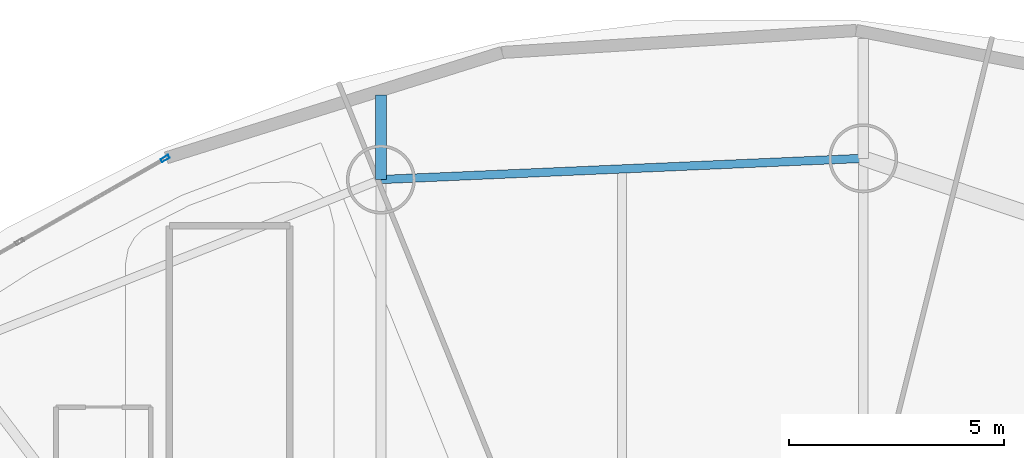
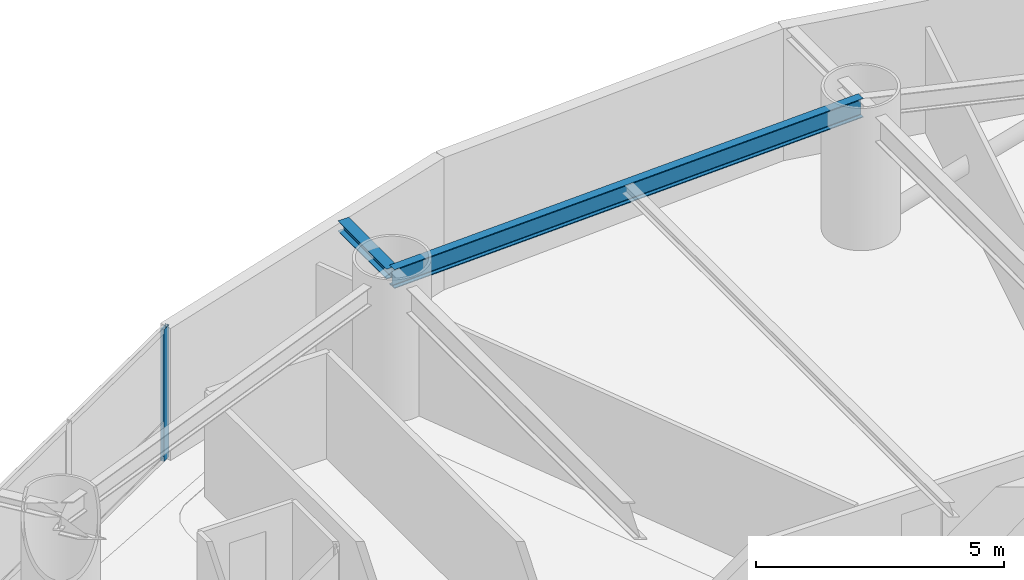
# One storey, part 15 of 26: 2 beams, 1 member, 1 element without a shape of its own.
"""IFC4 building model written with IfcOpenShell, lengths in metres."""

from ifc_helpers import new_model, si_unit, direction, frame, origin, origin_2d, place, context, subcontext, project, spatial, hollow_rectangle, i_section, extrude, material, layer, layer_set, material_profile, profile_set, type_object, element, aggregate, save


model = new_model("IFC4")

# Units and contexts
model_context = context("Model", 3, precision=1e-05, world=origin(), true_north=direction((0.0, 1.0)))
body_context = subcontext(model_context, "Body", "Model", "MODEL_VIEW")
ifc_project = project(units=[si_unit("LENGTHUNIT", "METRE"), si_unit("AREAUNIT", "SQUARE_METRE"), si_unit("VOLUMEUNIT", "CUBIC_METRE"), si_unit("PLANEANGLEUNIT", "RADIAN"), si_unit("MASSUNIT", "GRAM", prefix="KILO")], contexts=[model_context])

# Site, building, storey
site_placement = place(None, origin())
site = spatial("IfcSite", under=ifc_project, at=site_placement, CompositionType="ELEMENT")
building_placement = place(site_placement, origin())
building = spatial("IfcBuilding", under=site, at=building_placement, Name="Bramvorn Convention Spire", CompositionType="ELEMENT")
storey_placement = place(building_placement, frame((0.0, 0.0, 51.89990234375)))
storey = spatial("IfcBuildingStorey", under=building, at=storey_placement, Name="L10", CompositionType="ELEMENT", Elevation=51.89990234375)

# Beams
ifc_material_1 = material(Name="Steel CSA G40.21 Grade 350 (350W)", Category="steel")
ifc_material_profile_1 = material_profile(ifc_material_1, i_section(OverallWidth=0.25390625, OverallDepth=0.2529296875, WebThickness=0.008544921875, FlangeThickness=0.01416015625, FilletRadius=0.011962890625, at=origin_2d()))
ifc_profile_set_1 = profile_set([ifc_material_profile_1], Name="Steel CSA G40.21 Grade 350 (350W) - W250X73")
beam_type_1 = type_object("IfcBeamType", Name="BM-W250X73", PredefinedType="BEAM", material=ifc_profile_set_1)
beam_1_placement = place(storey_placement, frame((29.76220703125, 46.57666015625, 3.12353515625), z_axis=(0.0, 1.0, 0.0), x_axis=(-1.0, 0.0, 0.0)))
element("IfcBeam", 1, at=beam_1_placement, inside=storey, type_object=beam_type_1, Name="L10 slab-edge cantilever tip beam MC06", PredefinedType="BEAM", context=body_context, shape_type="SweptSolid", body=[
    extrude(i_section(OverallWidth=0.25390625, OverallDepth=0.2529296875, WebThickness=0.008544921875, FlangeThickness=0.01416015625, FilletRadius=0.011962890625, at=origin_2d()), origin(), (0.0, 0.0, 1.0), 1.965087890625),
])
ifc_material_profile_2 = material_profile(ifc_material_1, i_section(OverallWidth=0.194091796875, OverallDepth=0.468994140625, WebThickness=0.0126953125, FlangeThickness=0.0205078125, FilletRadius=0.01806640625, at=origin_2d()))
ifc_profile_set_2 = profile_set([ifc_material_profile_2], Name="Steel CSA G40.21 Grade 350 (350W) - W460X106")
beam_type_2 = type_object("IfcBeamType", Name="BM-W460X106", PredefinedType="SPANDREL", material=ifc_profile_set_2)
beam_2_placement = place(storey_placement, frame((40.9609375, 47.06884765625, 3.015625), z_axis=(-0.999035582762, -0.043907907889, 0.0), x_axis=(0.043907907889, -0.999035582762, 0.0)))
element("IfcBeam", 2, at=beam_2_placement, inside=storey, type_object=beam_type_2, Name="L10 mega-column ring beam 05", PredefinedType="SPANDREL", context=body_context, shape_type="SweptSolid", body=[
    extrude(i_section(OverallWidth=0.194091796875, OverallDepth=0.468994140625, WebThickness=0.0126953125, FlangeThickness=0.0205078125, FilletRadius=0.01806640625, at=origin_2d()), origin(), (0.0, 0.0, 1.0), 11.20947265625),
])

# Curtain wall, member
ifc_material_2 = material(Name="Anodised Bronze Unitised Curtain Wall", Category="aluminium")
ifc_layer = layer(ifc_material_2, 0.179931640625)
ifc_layer_set = layer_set([ifc_layer], Name="Anodised Bronze Unitised Curtain Wall - CW-HTL-FRIT")
curtain_wall_type = type_object("IfcCurtainWallType", Name="CW-HTL-FRIT", PredefinedType="USERDEFINED", material=ifc_layer_set)
curtain_wall_placement = place(storey_placement, origin())
curtain_wall = element("IfcCurtainWall", 3, at=curtain_wall_placement, inside=storey, type_object=curtain_wall_type, Name="L10 fritted glass curtain wall 09", ObjectType="UNITISED CURTAIN WALL", PredefinedType="USERDEFINED")
ifc_material_3 = material(Name="Anodised Bronze Aluminium 6063-T6", Category="aluminium")
ifc_material_profile_3 = material_profile(ifc_material_3, hollow_rectangle(XDim=0.080078125, YDim=0.199951171875, WallThickness=0.00390625, InnerFilletRadius=0.0009765625, OuterFilletRadius=0.00390625, at=origin_2d()))
ifc_profile_set_3 = profile_set([ifc_material_profile_3], Name="Anodised Bronze Aluminium 6063-T6 - CWM80X200")
member_type = type_object("IfcMemberType", Name="CW-MUL-180", PredefinedType="MULLION", material=ifc_profile_set_3)
member_placement = place(storey_placement, frame((24.751953125, 47.064697265625, 0.0), z_axis=(0.0, 0.0, 1.0), x_axis=(-0.495710574258, 0.868487781473, 0.0)))
member = element("IfcMember", 4, at=member_placement, type_object=member_type, Name="CW2 mullion 3", PredefinedType="MULLION", context=body_context, shape_type="SweptSolid", body=[
    extrude(hollow_rectangle(XDim=0.080078125, YDim=0.199951171875, WallThickness=0.00390625, InnerFilletRadius=0.0009765625, OuterFilletRadius=0.00390625, at=origin_2d()), origin(), (0.0, 0.0, 1.0), 3.25),
])
aggregate(curtain_wall, [member])

save(model, "model.ifc")
